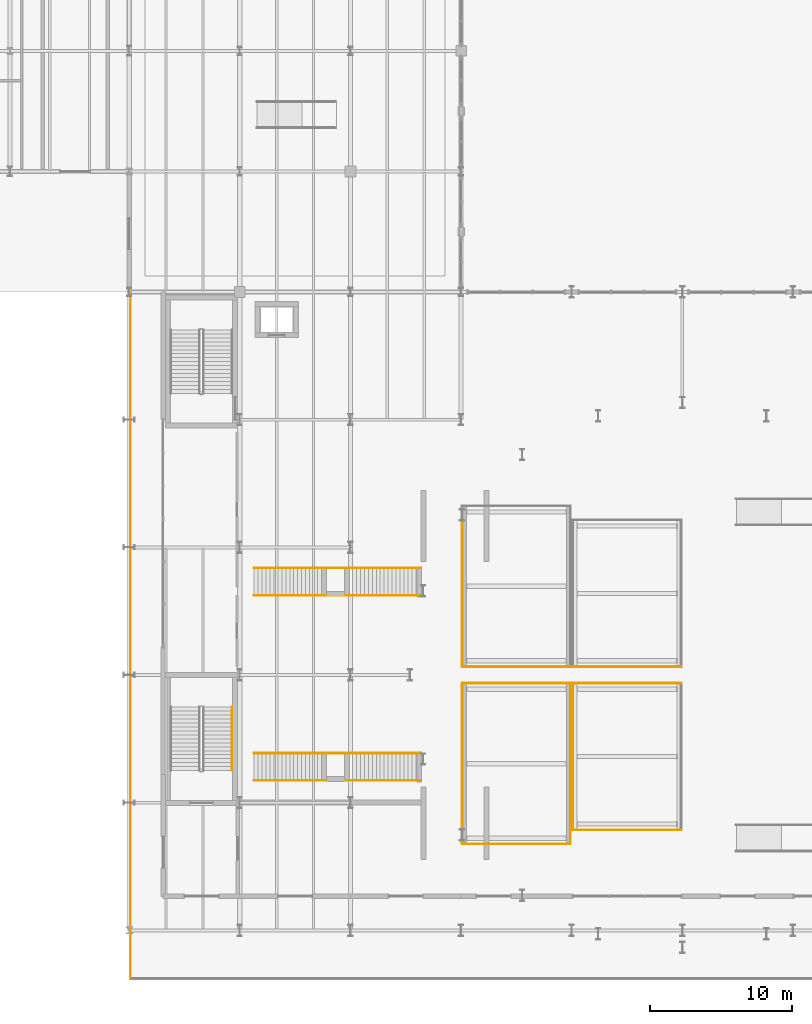
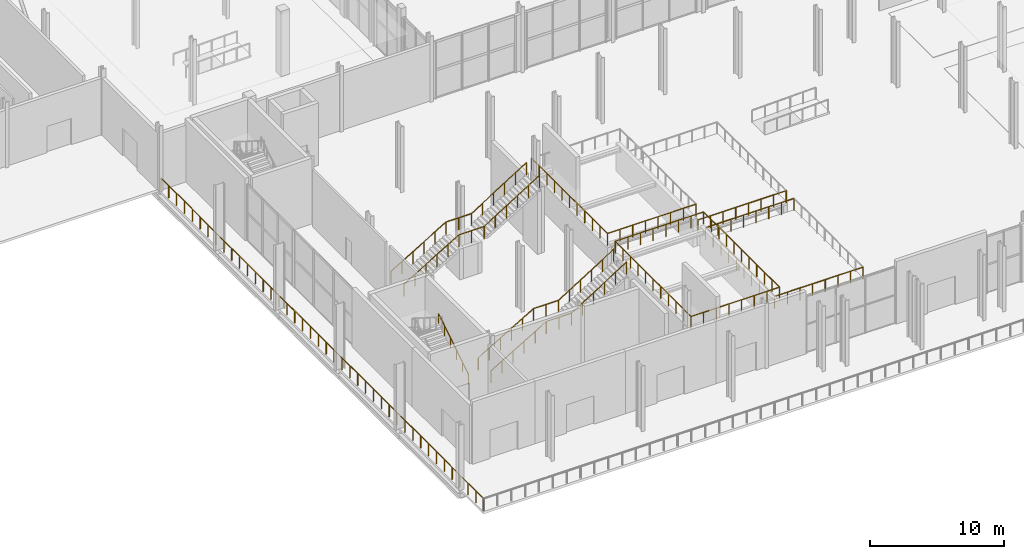
# One storey, part 67 of 84: 16 railings, 2 elements without a shape of their own.
"""IFC4 building model written with IfcOpenShell, lengths in metres."""

import ifcopenshell
import ifcopenshell.guid

model = None  # the IFC model being written
_history = None  # IfcOwnerHistory: only IFC2X3 demands one
_inside = {}  # id of a spatial element -> (the spatial element, [elements in it])
_under = {}  # id of a project, library or spatial element -> (it, [spatial elements below it])
_declared = {}  # id of a project -> (the project, [libraries it declares])
_typed = {}  # id of a type object -> (the type object, [elements of that type])
_made_of = {}  # id of a material, layer set ... -> (it, [elements and type objects made of it])


def new_model(schema):
    """Start an empty IFC model of exactly this schema.

    Asked for "IFC4X3", IfcOpenShell would pick the latest addendum, in which some entities
    have other attributes; the version numbers below select the first issue.
    IFC2X3 requires an IfcOwnerHistory on every rooted entity: one is made here for all.
    """
    global model, _history
    if schema == "IFC4X3":
        model = ifcopenshell.file(schema_version=(4, 3, 0, 0))
    else:
        model = ifcopenshell.file(schema=schema)
    _inside.clear()
    _under.clear()
    _declared.clear()
    _typed.clear()
    _made_of.clear()
    _history = None
    if model.schema == "IFC2X3":
        org = make("IfcOrganization", Name="unknown")
        user = make(
            "IfcPersonAndOrganization",
            ThePerson=make("IfcPerson", FamilyName="unknown"),
            TheOrganization=org,
        )
        app = make(
            "IfcApplication",
            ApplicationDeveloper=org,
            Version="unknown",
            ApplicationFullName="unknown",
            ApplicationIdentifier="unknown",
        )
        _history = make(
            "IfcOwnerHistory",
            OwningUser=user,
            OwningApplication=app,
            ChangeAction="ADDED",
            CreationDate=0,
        )
    return model


def make(cls, **values):
    """One entity of the class cls with the attributes given. An attribute that is None is left unset."""
    return model.create_entity(
        cls, **{name: value for name, value in values.items() if value is not None}
    )


def rooted(cls, **values):
    """An entity with a GlobalId (a new one), such as an element, a storey or a relation."""
    return make(cls, GlobalId=ifcopenshell.guid.new(), OwnerHistory=_history, **values)


def si_unit(unit_type, name, prefix=None):
    """IfcSIUnit, for example si_unit("LENGTHUNIT", "METRE", prefix="MILLI")."""
    return make("IfcSIUnit", UnitType=unit_type, Prefix=prefix, Name=name)


def assignment(units):
    """IfcUnitAssignment: the units of a project."""
    return None if units is None else make("IfcUnitAssignment", Units=units)


def point(xyz):
    """IfcCartesianPoint."""
    return None if xyz is None else make("IfcCartesianPoint", Coordinates=xyz)


def direction(xyz):
    """IfcDirection."""
    return None if xyz is None else make("IfcDirection", DirectionRatios=xyz)


def frame(location, z_axis=None, x_axis=None):
    """IfcAxis2Placement3D, a coordinate frame: its origin and axes. An axis left out is left unset."""
    return make(
        "IfcAxis2Placement3D",
        Location=point(location),
        Axis=direction(z_axis),
        RefDirection=direction(x_axis),
    )


def frame_2d(location, x_axis=None):
    """IfcAxis2Placement2D, a coordinate frame in the plane: its origin and x axis."""
    return make(
        "IfcAxis2Placement2D", Location=point(location), RefDirection=direction(x_axis)
    )


def origin():
    """The frame at (0, 0, 0) with its axes left unset."""
    return frame((0.0, 0.0, 0.0))


def origin_2d():
    """The frame at (0, 0) in the plane with its x axis left unset."""
    return frame_2d((0.0, 0.0))


def place(relative_to, where):
    """IfcLocalPlacement: puts the frame where relative to a parent placement (None: the world)."""
    return make(
        "IfcLocalPlacement", PlacementRelTo=relative_to, RelativePlacement=where
    )


def context(
    kind, dimensions, precision=None, world=None, true_north=None, identifier=None
):
    """IfcGeometricRepresentationContext, for example the 3D "Model" context."""
    return make(
        "IfcGeometricRepresentationContext",
        ContextIdentifier=identifier,
        ContextType=kind,
        CoordinateSpaceDimension=dimensions,
        Precision=precision,
        WorldCoordinateSystem=world,
        TrueNorth=true_north,
    )


def subcontext(parent, identifier, kind, view, scale=None):
    """IfcGeometricRepresentationSubContext, for example "Body" below "Model"."""
    return make(
        "IfcGeometricRepresentationSubContext",
        ContextIdentifier=identifier,
        ContextType=kind,
        ParentContext=parent,
        TargetScale=scale,
        TargetView=view,
    )


def project(units=None, contexts=None):
    """IfcProject with its units and contexts."""
    return rooted(
        "IfcProject",
        Name="project",
        RepresentationContexts=contexts,
        UnitsInContext=assignment(units),
    )


def spatial(cls, under=None, at=None, **own):
    """A site, building, storey or space (cls), placed at a placement, below another one or the project."""
    s = rooted(cls, ObjectPlacement=at, **own)
    if under is not None:
        _under.setdefault(under.id(), (under, []))[1].append(s)
    return s


def profile(cls, at=None, kind="AREA", **sizes):
    """A parametric profile (cls). Its sizes go by their IFC names, for example OverallWidth=200.0."""
    return make(cls, ProfileType=kind, Position=at, **sizes)


def circle(**sizes):
    """IfcCircleProfileDef."""
    return profile("IfcCircleProfileDef", **sizes)


def extrude(swept, where, along, depth):
    """IfcExtrudedAreaSolid: the profile swept, set in the frame where, extruded along a direction by depth."""
    return make(
        "IfcExtrudedAreaSolid",
        SweptArea=swept,
        Position=where,
        ExtrudedDirection=direction(along),
        Depth=depth,
    )


def shape(context_of_items, identifier, shape_type, items):
    """IfcShapeRepresentation: the items that make up one representation, for example the "Body"."""
    return make(
        "IfcShapeRepresentation",
        ContextOfItems=context_of_items,
        RepresentationIdentifier=identifier,
        RepresentationType=shape_type,
        Items=items,
    )


def material(Name=None, Category=None):
    """IfcMaterial."""
    return make("IfcMaterial", Name=Name, Category=Category)


def made_of(thing, what):
    """Note that an element or type object is made of a material, layer set ...; save() writes the relation."""
    if what is not None:
        _made_of.setdefault(what.id(), (what, []))[1].append(thing)
    return thing


def type_object(cls, material=None, **own):
    """A type object (cls), such as IfcWallType, which elements share."""
    return made_of(rooted(cls, **own), material)


def element(
    cls,
    number,
    at=None,
    inside=None,
    cuts=None,
    type_object=None,
    material=None,
    context=None,
    identifier="Body",
    shape_type=None,
    held_by="IfcProductDefinitionShape",
    body=None,
    shapes=None,
    **own,
):
    """One element of the class cls, such as IfcWall. Its Tag is "e" and its number.

    at: its placement. inside: the storey or other place that contains it. cuts: it is an
    opening in that element (IfcRelVoidsElement). A single representation is given by context,
    identifier, shape_type and body (its items); several are given by shapes. held_by: the class
    of the entity that holds the representations. save() writes the other relations.
    """
    e = rooted(cls, Tag="e%d" % number, ObjectPlacement=at, **own)
    if body is not None:
        shapes = [shape(context, identifier, shape_type, body)]
    if shapes is not None:
        e.Representation = make(held_by, Representations=shapes)
    if inside is not None:
        _inside.setdefault(inside.id(), (inside, []))[1].append(e)
    if cuts is not None:
        rooted(
            "IfcRelVoidsElement", RelatingBuildingElement=cuts, RelatedOpeningElement=e
        )
    if type_object is not None:
        _typed.setdefault(type_object.id(), (type_object, []))[1].append(e)
    return made_of(e, material)


def aggregate(whole, parts):
    """IfcRelAggregates: a whole, such as a stair, and the parts it consists of."""
    return rooted("IfcRelAggregates", RelatingObject=whole, RelatedObjects=parts)


def save(model, path):
    """Write the relations noted so far, then the file.

    IfcRelAggregates (storeys below a building ...), IfcRelContainedInSpatialStructure (elements
    in a storey), IfcRelDefinesByType, IfcRelAssociatesMaterial and IfcRelDeclares: one each for
    every whole, place, type object, material and project.
    """
    for whole, parts in _under.values():
        aggregate(whole, parts)
    for where, things in _inside.values():
        rooted(
            "IfcRelContainedInSpatialStructure",
            RelatedElements=things,
            RelatingStructure=where,
        )
    for kind, things in _typed.values():
        rooted("IfcRelDefinesByType", RelatedObjects=things, RelatingType=kind)
    for what, things in _made_of.values():
        rooted("IfcRelAssociatesMaterial", RelatedObjects=things, RelatingMaterial=what)
    for by, libraries in _declared.values():
        rooted("IfcRelDeclares", RelatingContext=by, RelatedDefinitions=libraries)
    model.write(path)


model = new_model("IFC4")

# Units and contexts
model_context = context("Model", 3, precision=1e-05, world=origin(), true_north=direction((0.0, 1.0)))
body_context = subcontext(model_context, "Body", "Model", "MODEL_VIEW")
ifc_project = project(units=[si_unit("LENGTHUNIT", "METRE"), si_unit("AREAUNIT", "SQUARE_METRE"), si_unit("VOLUMEUNIT", "CUBIC_METRE"), si_unit("PLANEANGLEUNIT", "RADIAN"), si_unit("MASSUNIT", "GRAM", prefix="KILO")], contexts=[model_context])

# Site, building, storey
site_placement = place(None, origin())
site = spatial("IfcSite", under=ifc_project, at=site_placement, CompositionType="ELEMENT")
building_placement = place(site_placement, origin())
building = spatial("IfcBuilding", under=site, at=building_placement, Name="Sefraquen Railside Congress Hotel", CompositionType="ELEMENT")
storey_placement = place(building_placement, origin())
storey = spatial("IfcBuildingStorey", under=building, at=storey_placement, Name="L00", CompositionType="ELEMENT", Elevation=0.0)

# Railings
ifc_material_1 = material(Name="Patinated wrought architectural bronze", Category="metal")
railing_type_1 = type_object("IfcRailingType", Name="TRL-BAL-110", PredefinedType="BALUSTRADE", material=ifc_material_1)
railing_1_placement = place(storey_placement, frame((25.300048828125, 53.89990234375, 0.0)))
element("IfcRailing", 1, at=railing_1_placement, inside=storey, type_object=railing_type_1, Name="South Congress colonnade perimeter balustrade", PredefinedType="BALUSTRADE", context=body_context, shape_type="SweptSolid", body=[
    extrude(circle(Radius=0.02392578125, at=origin_2d()), frame((0.0, 0.0, 1.09619140625), z_axis=(0.0, -1.0, 0.0), x_axis=(1.0, 0.0, 0.0)), (0.0, 0.0, 1.0), 48.2998046875),
    extrude(circle(Radius=0.02099609375, at=origin_2d()), origin(), (0.0, 0.0, 1.0), 1.072021484375),
    extrude(circle(Radius=0.02099609375, at=origin_2d()), frame((0.0, -1.177978515625, 0.0)), (0.0, 0.0, 1.0), 1.072021484375),
    extrude(circle(Radius=0.02099609375, at=origin_2d()), frame((0.0, -2.356201171875, 0.0)), (0.0, 0.0, 1.0), 1.072021484375),
    extrude(circle(Radius=0.02099609375, at=origin_2d()), frame((0.0, -3.5341796875, 0.0)), (0.0, 0.0, 1.0), 1.072021484375),
    extrude(circle(Radius=0.02099609375, at=origin_2d()), frame((0.0, -4.712158203125, 0.0)), (0.0, 0.0, 1.0), 1.072021484375),
    extrude(circle(Radius=0.02099609375, at=origin_2d()), frame((0.0, -5.89013671875, 0.0)), (0.0, 0.0, 1.0), 1.072021484375),
    extrude(circle(Radius=0.02099609375, at=origin_2d()), frame((0.0, -7.068359375, 0.0)), (0.0, 0.0, 1.0), 1.072021484375),
    extrude(circle(Radius=0.02099609375, at=origin_2d()), frame((0.0, -8.246337890625, 0.0)), (0.0, 0.0, 1.0), 1.072021484375),
    extrude(circle(Radius=0.02099609375, at=origin_2d()), frame((0.0, -9.42431640625, 0.0)), (0.0, 0.0, 1.0), 1.072021484375),
    extrude(circle(Radius=0.02099609375, at=origin_2d()), frame((0.0, -10.602294921875, 0.0)), (0.0, 0.0, 1.0), 1.072021484375),
    extrude(circle(Radius=0.02099609375, at=origin_2d()), frame((0.0, -11.780517578125, 0.0)), (0.0, 0.0, 1.0), 1.072021484375),
    extrude(circle(Radius=0.02099609375, at=origin_2d()), frame((0.0, -12.95849609375, 0.0)), (0.0, 0.0, 1.0), 1.072021484375),
    extrude(circle(Radius=0.02099609375, at=origin_2d()), frame((0.0, -14.136474609375, 0.0)), (0.0, 0.0, 1.0), 1.072021484375),
    extrude(circle(Radius=0.02099609375, at=origin_2d()), frame((0.0, -15.314453125, 0.0)), (0.0, 0.0, 1.0), 1.072021484375),
    extrude(circle(Radius=0.02099609375, at=origin_2d()), frame((0.0, -16.49267578125, 0.0)), (0.0, 0.0, 1.0), 1.072021484375),
    extrude(circle(Radius=0.02099609375, at=origin_2d()), frame((0.0, -17.670654296875, 0.0)), (0.0, 0.0, 1.0), 1.072021484375),
    extrude(circle(Radius=0.02099609375, at=origin_2d()), frame((0.0, -18.8486328125, 0.0)), (0.0, 0.0, 1.0), 1.072021484375),
    extrude(circle(Radius=0.02099609375, at=origin_2d()), frame((0.0, -20.02685546875, 0.0)), (0.0, 0.0, 1.0), 1.072021484375),
    extrude(circle(Radius=0.02099609375, at=origin_2d()), frame((0.0, -21.204833984375, 0.0)), (0.0, 0.0, 1.0), 1.072021484375),
    extrude(circle(Radius=0.02099609375, at=origin_2d()), frame((0.0, -22.3828125, 0.0)), (0.0, 0.0, 1.0), 1.072021484375),
    extrude(circle(Radius=0.02099609375, at=origin_2d()), frame((0.0, -23.560791015625, 0.0)), (0.0, 0.0, 1.0), 1.072021484375),
    extrude(circle(Radius=0.02099609375, at=origin_2d()), frame((0.0, -24.739013671875, 0.0)), (0.0, 0.0, 1.0), 1.072021484375),
    extrude(circle(Radius=0.02099609375, at=origin_2d()), frame((0.0, -25.9169921875, 0.0)), (0.0, 0.0, 1.0), 1.072021484375),
    extrude(circle(Radius=0.02099609375, at=origin_2d()), frame((0.0, -27.094970703125, 0.0)), (0.0, 0.0, 1.0), 1.072021484375),
    extrude(circle(Radius=0.02099609375, at=origin_2d()), frame((0.0, -28.27294921875, 0.0)), (0.0, 0.0, 1.0), 1.072021484375),
    extrude(circle(Radius=0.02099609375, at=origin_2d()), frame((0.0, -29.451171875, 0.0)), (0.0, 0.0, 1.0), 1.072021484375),
    extrude(circle(Radius=0.02099609375, at=origin_2d()), frame((0.0, -30.629150390625, 0.0)), (0.0, 0.0, 1.0), 1.072021484375),
    extrude(circle(Radius=0.02099609375, at=origin_2d()), frame((0.0, -31.80712890625, 0.0)), (0.0, 0.0, 1.0), 1.072021484375),
    extrude(circle(Radius=0.02099609375, at=origin_2d()), frame((0.0, -32.9853515625, 0.0)), (0.0, 0.0, 1.0), 1.072021484375),
    extrude(circle(Radius=0.02099609375, at=origin_2d()), frame((0.0, -34.163330078125, 0.0)), (0.0, 0.0, 1.0), 1.072021484375),
    extrude(circle(Radius=0.02099609375, at=origin_2d()), frame((0.0, -35.34130859375, 0.0)), (0.0, 0.0, 1.0), 1.072021484375),
    extrude(circle(Radius=0.02099609375, at=origin_2d()), frame((0.0, -36.519287109375, 0.0)), (0.0, 0.0, 1.0), 1.072021484375),
    extrude(circle(Radius=0.02099609375, at=origin_2d()), frame((0.0, -37.697509765625, 0.0)), (0.0, 0.0, 1.0), 1.072021484375),
    extrude(circle(Radius=0.02099609375, at=origin_2d()), frame((0.0, -38.87548828125, 0.0)), (0.0, 0.0, 1.0), 1.072021484375),
    extrude(circle(Radius=0.02099609375, at=origin_2d()), frame((0.0, -40.053466796875, 0.0)), (0.0, 0.0, 1.0), 1.072021484375),
    extrude(circle(Radius=0.02099609375, at=origin_2d()), frame((0.0, -41.2314453125, 0.0)), (0.0, 0.0, 1.0), 1.072021484375),
    extrude(circle(Radius=0.02099609375, at=origin_2d()), frame((0.0, -42.40966796875, 0.0)), (0.0, 0.0, 1.0), 1.072021484375),
    extrude(circle(Radius=0.02099609375, at=origin_2d()), frame((0.0, -43.587646484375, 0.0)), (0.0, 0.0, 1.0), 1.072021484375),
    extrude(circle(Radius=0.02099609375, at=origin_2d()), frame((0.0, -44.765625, 0.0)), (0.0, 0.0, 1.0), 1.072021484375),
    extrude(circle(Radius=0.02099609375, at=origin_2d()), frame((0.0, -45.943603515625, 0.0)), (0.0, 0.0, 1.0), 1.072021484375),
    extrude(circle(Radius=0.02099609375, at=origin_2d()), frame((0.0, -47.121826171875, 0.0)), (0.0, 0.0, 1.0), 1.072021484375),
    extrude(circle(Radius=0.02099609375, at=origin_2d()), frame((0.0, -48.2998046875, 0.0)), (0.0, 0.0, 1.0), 1.072021484375),
])
railing_2_placement = place(storey_placement, frame((56.47998046875, 16.080078125, 1.199951171875)))
element("IfcRailing", 2, at=railing_2_placement, inside=storey, type_object=railing_type_1, Name="Congress seating tier 1 perimeter guard", PredefinedType="BALUSTRADE", context=body_context, shape_type="SweptSolid", body=[
    extrude(circle(Radius=0.02392578125, at=origin_2d()), frame((0.0, 0.0, 1.09619140625), z_axis=(1.0, 0.0, 0.0), x_axis=(0.0, 1.0, 0.0)), (0.0, 0.0, 1.0), 7.64013671875),
    extrude(circle(Radius=0.02099609375, at=origin_2d()), origin(), (0.0, 0.0, 1.0), 1.072021484375),
    extrude(circle(Radius=0.02099609375, at=origin_2d()), frame((1.091552734375, 0.0, 0.0)), (0.0, 0.0, 1.0), 1.072021484375),
    extrude(circle(Radius=0.02099609375, at=origin_2d()), frame((2.182861328125, 0.0, 0.0)), (0.0, 0.0, 1.0), 1.072021484375),
    extrude(circle(Radius=0.02099609375, at=origin_2d()), frame((3.2744140625, 0.0, 0.0)), (0.0, 0.0, 1.0), 1.072021484375),
    extrude(circle(Radius=0.02099609375, at=origin_2d()), frame((4.36572265625, 0.0, 0.0)), (0.0, 0.0, 1.0), 1.072021484375),
    extrude(circle(Radius=0.02099609375, at=origin_2d()), frame((5.457275390625, 0.0, 0.0)), (0.0, 0.0, 1.0), 1.072021484375),
    extrude(circle(Radius=0.02099609375, at=origin_2d()), frame((6.548583984375, 0.0, 0.0)), (0.0, 0.0, 1.0), 1.072021484375),
    extrude(circle(Radius=0.02099609375, at=origin_2d()), frame((7.64013671875, 0.0, 0.0)), (0.0, 0.0, 1.0), 1.072021484375),
])
railing_3_placement = place(storey_placement, frame((64.1201171875, 26.419921875, 1.199951171875)))
element("IfcRailing", 3, at=railing_3_placement, inside=storey, type_object=railing_type_1, Name="Congress seating tier 1 perimeter guard", PredefinedType="BALUSTRADE", context=body_context, shape_type="SweptSolid", body=[
    extrude(circle(Radius=0.02392578125, at=origin_2d()), frame((0.0, 0.0, 1.09619140625), z_axis=(-1.0, 0.0, 0.0), x_axis=(0.0, -1.0, 0.0)), (0.0, 0.0, 1.0), 7.64013671875),
    extrude(circle(Radius=0.02099609375, at=origin_2d()), origin(), (0.0, 0.0, 1.0), 1.072021484375),
    extrude(circle(Radius=0.02099609375, at=origin_2d()), frame((-1.091552734375, 0.0, 0.0)), (0.0, 0.0, 1.0), 1.072021484375),
    extrude(circle(Radius=0.02099609375, at=origin_2d()), frame((-2.182861328125, 0.0, 0.0)), (0.0, 0.0, 1.0), 1.072021484375),
    extrude(circle(Radius=0.02099609375, at=origin_2d()), frame((-3.2744140625, 0.0, 0.0)), (0.0, 0.0, 1.0), 1.072021484375),
    extrude(circle(Radius=0.02099609375, at=origin_2d()), frame((-4.36572265625, 0.0, 0.0)), (0.0, 0.0, 1.0), 1.072021484375),
    extrude(circle(Radius=0.02099609375, at=origin_2d()), frame((-5.457275390625, 0.0, 0.0)), (0.0, 0.0, 1.0), 1.072021484375),
    extrude(circle(Radius=0.02099609375, at=origin_2d()), frame((-6.548583984375, 0.0, 0.0)), (0.0, 0.0, 1.0), 1.072021484375),
    extrude(circle(Radius=0.02099609375, at=origin_2d()), frame((-7.64013671875, 0.0, 0.0)), (0.0, 0.0, 1.0), 1.072021484375),
])
railing_4_placement = place(storey_placement, frame((56.47998046875, 26.419921875, 1.199951171875)))
element("IfcRailing", 4, at=railing_4_placement, inside=storey, type_object=railing_type_1, Name="Congress seating tier 1 perimeter guard", PredefinedType="BALUSTRADE", context=body_context, shape_type="SweptSolid", body=[
    extrude(circle(Radius=0.02392578125, at=origin_2d()), frame((0.0, 0.0, 1.09619140625), z_axis=(0.0, -1.0, 0.0), x_axis=(1.0, 0.0, 0.0)), (0.0, 0.0, 1.0), 10.33984375),
    extrude(circle(Radius=0.02099609375, at=origin_2d()), origin(), (0.0, 0.0, 1.0), 1.072021484375),
    extrude(circle(Radius=0.02099609375, at=origin_2d()), frame((0.0, -1.14892578125, 0.0)), (0.0, 0.0, 1.0), 1.072021484375),
    extrude(circle(Radius=0.02099609375, at=origin_2d()), frame((0.0, -2.2978515625, 0.0)), (0.0, 0.0, 1.0), 1.072021484375),
    extrude(circle(Radius=0.02099609375, at=origin_2d()), frame((0.0, -3.446533203125, 0.0)), (0.0, 0.0, 1.0), 1.072021484375),
    extrude(circle(Radius=0.02099609375, at=origin_2d()), frame((0.0, -4.595458984375, 0.0)), (0.0, 0.0, 1.0), 1.072021484375),
    extrude(circle(Radius=0.02099609375, at=origin_2d()), frame((0.0, -5.744384765625, 0.0)), (0.0, 0.0, 1.0), 1.072021484375),
    extrude(circle(Radius=0.02099609375, at=origin_2d()), frame((0.0, -6.893310546875, 0.0)), (0.0, 0.0, 1.0), 1.072021484375),
    extrude(circle(Radius=0.02099609375, at=origin_2d()), frame((0.0, -8.0419921875, 0.0)), (0.0, 0.0, 1.0), 1.072021484375),
    extrude(circle(Radius=0.02099609375, at=origin_2d()), frame((0.0, -9.19091796875, 0.0)), (0.0, 0.0, 1.0), 1.072021484375),
    extrude(circle(Radius=0.02099609375, at=origin_2d()), frame((0.0, -10.33984375, 0.0)), (0.0, 0.0, 1.0), 1.072021484375),
])
for number, where, name in (
    (5, (56.47998046875, 27.580078125, 1.199951171875), "Congress seating tier 2 perimeter guard"),
    (6, (48.679931640625, 15.080078125, 2.699951171875), "Congress seating tier 3 perimeter guard"),
):
    element("IfcRailing", number, at=place(storey_placement, frame(where)), inside=storey, type_object=railing_type_1, Name=name, PredefinedType="BALUSTRADE", context=body_context, shape_type="SweptSolid", body=[
        extrude(circle(Radius=0.02392578125, at=origin_2d()), frame((0.0, 0.0, 1.09619140625), z_axis=(1.0, 0.0, 0.0), x_axis=(0.0, 1.0, 0.0)), (0.0, 0.0, 1.0), 7.64013671875),
        extrude(circle(Radius=0.02099609375, at=origin_2d()), origin(), (0.0, 0.0, 1.0), 1.072021484375),
        extrude(circle(Radius=0.02099609375, at=origin_2d()), frame((1.091552734375, 0.0, 0.0)), (0.0, 0.0, 1.0), 1.072021484375),
        extrude(circle(Radius=0.02099609375, at=origin_2d()), frame((2.182861328125, 0.0, 0.0)), (0.0, 0.0, 1.0), 1.072021484375),
        extrude(circle(Radius=0.02099609375, at=origin_2d()), frame((3.2744140625, 0.0, 0.0)), (0.0, 0.0, 1.0), 1.072021484375),
        extrude(circle(Radius=0.02099609375, at=origin_2d()), frame((4.36572265625, 0.0, 0.0)), (0.0, 0.0, 1.0), 1.072021484375),
        extrude(circle(Radius=0.02099609375, at=origin_2d()), frame((5.457275390625, 0.0, 0.0)), (0.0, 0.0, 1.0), 1.072021484375),
        extrude(circle(Radius=0.02099609375, at=origin_2d()), frame((6.548583984375, 0.0, 0.0)), (0.0, 0.0, 1.0), 1.072021484375),
        extrude(circle(Radius=0.02099609375, at=origin_2d()), frame((7.64013671875, 0.0, 0.0)), (0.0, 0.0, 1.0), 1.072021484375),
    ])
railing_5_placement = place(storey_placement, frame((56.320068359375, 15.080078125, 2.699951171875)))
element("IfcRailing", 7, at=railing_5_placement, inside=storey, type_object=railing_type_1, Name="Congress seating tier 3 perimeter guard", PredefinedType="BALUSTRADE", context=body_context, shape_type="SweptSolid", body=[
    extrude(circle(Radius=0.02392578125, at=origin_2d()), frame((0.0, 0.0, 1.09619140625), z_axis=(0.0, 1.0, 0.0), x_axis=(-1.0, 0.0, 0.0)), (0.0, 0.0, 1.0), 11.33984375),
    extrude(circle(Radius=0.02099609375, at=origin_2d()), origin(), (0.0, 0.0, 1.0), 1.072021484375),
    extrude(circle(Radius=0.02099609375, at=origin_2d()), frame((0.0, 1.134033203125, 0.0)), (0.0, 0.0, 1.0), 1.072021484375),
    extrude(circle(Radius=0.02099609375, at=origin_2d()), frame((0.0, 2.26806640625, 0.0)), (0.0, 0.0, 1.0), 1.072021484375),
    extrude(circle(Radius=0.02099609375, at=origin_2d()), frame((0.0, 3.40185546875, 0.0)), (0.0, 0.0, 1.0), 1.072021484375),
    extrude(circle(Radius=0.02099609375, at=origin_2d()), frame((0.0, 4.535888671875, 0.0)), (0.0, 0.0, 1.0), 1.072021484375),
    extrude(circle(Radius=0.02099609375, at=origin_2d()), frame((0.0, 5.669921875, 0.0)), (0.0, 0.0, 1.0), 1.072021484375),
    extrude(circle(Radius=0.02099609375, at=origin_2d()), frame((0.0, 6.803955078125, 0.0)), (0.0, 0.0, 1.0), 1.072021484375),
    extrude(circle(Radius=0.02099609375, at=origin_2d()), frame((0.0, 7.93798828125, 0.0)), (0.0, 0.0, 1.0), 1.072021484375),
    extrude(circle(Radius=0.02099609375, at=origin_2d()), frame((0.0, 9.07177734375, 0.0)), (0.0, 0.0, 1.0), 1.072021484375),
    extrude(circle(Radius=0.02099609375, at=origin_2d()), frame((0.0, 10.205810546875, 0.0)), (0.0, 0.0, 1.0), 1.072021484375),
    extrude(circle(Radius=0.02099609375, at=origin_2d()), frame((0.0, 11.33984375, 0.0)), (0.0, 0.0, 1.0), 1.072021484375),
])
railing_6_placement = place(storey_placement, frame((56.320068359375, 26.419921875, 2.699951171875)))
element("IfcRailing", 8, at=railing_6_placement, inside=storey, type_object=railing_type_1, Name="Congress seating tier 3 perimeter guard", PredefinedType="BALUSTRADE", context=body_context, shape_type="SweptSolid", body=[
    extrude(circle(Radius=0.02392578125, at=origin_2d()), frame((0.0, 0.0, 1.09619140625), z_axis=(-1.0, 0.0, 0.0), x_axis=(0.0, -1.0, 0.0)), (0.0, 0.0, 1.0), 7.64013671875),
    extrude(circle(Radius=0.02099609375, at=origin_2d()), origin(), (0.0, 0.0, 1.0), 1.072021484375),
    extrude(circle(Radius=0.02099609375, at=origin_2d()), frame((-1.091552734375, 0.0, 0.0)), (0.0, 0.0, 1.0), 1.072021484375),
    extrude(circle(Radius=0.02099609375, at=origin_2d()), frame((-2.182861328125, 0.0, 0.0)), (0.0, 0.0, 1.0), 1.072021484375),
    extrude(circle(Radius=0.02099609375, at=origin_2d()), frame((-3.2744140625, 0.0, 0.0)), (0.0, 0.0, 1.0), 1.072021484375),
    extrude(circle(Radius=0.02099609375, at=origin_2d()), frame((-4.36572265625, 0.0, 0.0)), (0.0, 0.0, 1.0), 1.072021484375),
    extrude(circle(Radius=0.02099609375, at=origin_2d()), frame((-5.457275390625, 0.0, 0.0)), (0.0, 0.0, 1.0), 1.072021484375),
    extrude(circle(Radius=0.02099609375, at=origin_2d()), frame((-6.548583984375, 0.0, 0.0)), (0.0, 0.0, 1.0), 1.072021484375),
    extrude(circle(Radius=0.02099609375, at=origin_2d()), frame((-7.64013671875, 0.0, 0.0)), (0.0, 0.0, 1.0), 1.072021484375),
])
railing_7_placement = place(storey_placement, frame((48.679931640625, 26.419921875, 2.699951171875)))
element("IfcRailing", 9, at=railing_7_placement, inside=storey, type_object=railing_type_1, Name="Congress seating tier 3 perimeter guard", PredefinedType="BALUSTRADE", context=body_context, shape_type="SweptSolid", body=[
    extrude(circle(Radius=0.02392578125, at=origin_2d()), frame((0.0, 0.0, 1.09619140625), z_axis=(0.0, -1.0, 0.0), x_axis=(1.0, 0.0, 0.0)), (0.0, 0.0, 1.0), 11.33984375),
    extrude(circle(Radius=0.02099609375, at=origin_2d()), origin(), (0.0, 0.0, 1.0), 1.072021484375),
    extrude(circle(Radius=0.02099609375, at=origin_2d()), frame((0.0, -1.134033203125, 0.0)), (0.0, 0.0, 1.0), 1.072021484375),
    extrude(circle(Radius=0.02099609375, at=origin_2d()), frame((0.0, -2.26806640625, 0.0)), (0.0, 0.0, 1.0), 1.072021484375),
    extrude(circle(Radius=0.02099609375, at=origin_2d()), frame((0.0, -3.40185546875, 0.0)), (0.0, 0.0, 1.0), 1.072021484375),
    extrude(circle(Radius=0.02099609375, at=origin_2d()), frame((0.0, -4.535888671875, 0.0)), (0.0, 0.0, 1.0), 1.072021484375),
    extrude(circle(Radius=0.02099609375, at=origin_2d()), frame((0.0, -5.669921875, 0.0)), (0.0, 0.0, 1.0), 1.072021484375),
    extrude(circle(Radius=0.02099609375, at=origin_2d()), frame((0.0, -6.803955078125, 0.0)), (0.0, 0.0, 1.0), 1.072021484375),
    extrude(circle(Radius=0.02099609375, at=origin_2d()), frame((0.0, -7.93798828125, 0.0)), (0.0, 0.0, 1.0), 1.072021484375),
    extrude(circle(Radius=0.02099609375, at=origin_2d()), frame((0.0, -9.07177734375, 0.0)), (0.0, 0.0, 1.0), 1.072021484375),
    extrude(circle(Radius=0.02099609375, at=origin_2d()), frame((0.0, -10.205810546875, 0.0)), (0.0, 0.0, 1.0), 1.072021484375),
    extrude(circle(Radius=0.02099609375, at=origin_2d()), frame((0.0, -11.33984375, 0.0)), (0.0, 0.0, 1.0), 1.072021484375),
])
railing_8_placement = place(storey_placement, frame((48.679931640625, 27.580078125, 2.699951171875)))
element("IfcRailing", 10, at=railing_8_placement, inside=storey, type_object=railing_type_1, Name="Congress seating tier 4 perimeter guard", PredefinedType="BALUSTRADE", context=body_context, shape_type="SweptSolid", body=[
    extrude(circle(Radius=0.02392578125, at=origin_2d()), frame((0.0, 0.0, 1.09619140625), z_axis=(1.0, 0.0, 0.0), x_axis=(0.0, 1.0, 0.0)), (0.0, 0.0, 1.0), 7.64013671875),
    extrude(circle(Radius=0.02099609375, at=origin_2d()), origin(), (0.0, 0.0, 1.0), 1.072021484375),
    extrude(circle(Radius=0.02099609375, at=origin_2d()), frame((1.091552734375, 0.0, 0.0)), (0.0, 0.0, 1.0), 1.072021484375),
    extrude(circle(Radius=0.02099609375, at=origin_2d()), frame((2.182861328125, 0.0, 0.0)), (0.0, 0.0, 1.0), 1.072021484375),
    extrude(circle(Radius=0.02099609375, at=origin_2d()), frame((3.2744140625, 0.0, 0.0)), (0.0, 0.0, 1.0), 1.072021484375),
    extrude(circle(Radius=0.02099609375, at=origin_2d()), frame((4.36572265625, 0.0, 0.0)), (0.0, 0.0, 1.0), 1.072021484375),
    extrude(circle(Radius=0.02099609375, at=origin_2d()), frame((5.457275390625, 0.0, 0.0)), (0.0, 0.0, 1.0), 1.072021484375),
    extrude(circle(Radius=0.02099609375, at=origin_2d()), frame((6.548583984375, 0.0, 0.0)), (0.0, 0.0, 1.0), 1.072021484375),
    extrude(circle(Radius=0.02099609375, at=origin_2d()), frame((7.64013671875, 0.0, 0.0)), (0.0, 0.0, 1.0), 1.072021484375),
])
railing_9_placement = place(storey_placement, frame((48.679931640625, 38.919921875, 2.699951171875)))
element("IfcRailing", 11, at=railing_9_placement, inside=storey, type_object=railing_type_1, Name="Congress seating tier 4 perimeter guard", PredefinedType="BALUSTRADE", context=body_context, shape_type="SweptSolid", body=[
    extrude(circle(Radius=0.02392578125, at=origin_2d()), frame((0.0, 0.0, 1.09619140625), z_axis=(0.0, -1.0, 0.0), x_axis=(1.0, 0.0, 0.0)), (0.0, 0.0, 1.0), 11.33984375),
    extrude(circle(Radius=0.02099609375, at=origin_2d()), origin(), (0.0, 0.0, 1.0), 1.072021484375),
    extrude(circle(Radius=0.02099609375, at=origin_2d()), frame((0.0, -1.134033203125, 0.0)), (0.0, 0.0, 1.0), 1.072021484375),
    extrude(circle(Radius=0.02099609375, at=origin_2d()), frame((0.0, -2.26806640625, 0.0)), (0.0, 0.0, 1.0), 1.072021484375),
    extrude(circle(Radius=0.02099609375, at=origin_2d()), frame((0.0, -3.40185546875, 0.0)), (0.0, 0.0, 1.0), 1.072021484375),
    extrude(circle(Radius=0.02099609375, at=origin_2d()), frame((0.0, -4.535888671875, 0.0)), (0.0, 0.0, 1.0), 1.072021484375),
    extrude(circle(Radius=0.02099609375, at=origin_2d()), frame((0.0, -5.669921875, 0.0)), (0.0, 0.0, 1.0), 1.072021484375),
    extrude(circle(Radius=0.02099609375, at=origin_2d()), frame((0.0, -6.803955078125, 0.0)), (0.0, 0.0, 1.0), 1.072021484375),
    extrude(circle(Radius=0.02099609375, at=origin_2d()), frame((0.0, -7.93798828125, 0.0)), (0.0, 0.0, 1.0), 1.072021484375),
    extrude(circle(Radius=0.02099609375, at=origin_2d()), frame((0.0, -9.07177734375, 0.0)), (0.0, 0.0, 1.0), 1.072021484375),
    extrude(circle(Radius=0.02099609375, at=origin_2d()), frame((0.0, -10.205810546875, 0.0)), (0.0, 0.0, 1.0), 1.072021484375),
    extrude(circle(Radius=0.02099609375, at=origin_2d()), frame((0.0, -11.33984375, 0.0)), (0.0, 0.0, 1.0), 1.072021484375),
])

# Stair, railings
ifc_material_2 = material(Name="Concrete C40/50", Category="concrete")
stair_type = type_object("IfcStairType", Name="TST-STR-205-600", PredefinedType="STRAIGHT_RUN_STAIR", material=ifc_material_2)
stair_1_placement = place(storey_placement, origin())
stair_1 = element("IfcStair", 12, at=stair_1_placement, inside=storey, type_object=stair_type, Name="Congress Hall Vomitory Stair 1", PredefinedType="STRAIGHT_RUN_STAIR")
railing_10_placement = place(storey_placement, frame((34.0, 19.56005859375, 0.169921875)))
railing_10 = element("IfcRailing", 13, at=railing_10_placement, type_object=railing_type_1, Name="Congress Hall Vomitory Stair 1 south balustrade", PredefinedType="BALUSTRADE", context=body_context, shape_type="SweptSolid", body=[
    extrude(circle(Radius=0.02392578125, at=origin_2d()), frame((0.0, 0.0, 1.09619140625), z_axis=(0.859551590255, 0.0, 0.511048983651), x_axis=(0.0, 1.0, 0.0)), (0.0, 0.0, 1.0), 5.537841796875),
    extrude(circle(Radius=0.02392578125, at=origin_2d()), frame((4.760009765625, 0.0, 3.92626953125), z_axis=(1.0, 0.0, 0.0), x_axis=(0.0, 1.0, 0.0)), (0.0, 0.0, 1.0), 2.179931640625),
    extrude(circle(Radius=0.02392578125, at=origin_2d()), frame((6.93994140625, 0.0, 3.92626953125), z_axis=(0.845995810448, 0.0, 0.533189542944), x_axis=(0.0, 1.0, 0.0)), (0.0, 0.0, 1.0), 5.62646484375),
    extrude(circle(Radius=0.02099609375, at=origin_2d()), origin(), (0.0, 0.0, 1.0), 1.072021484375),
    extrude(circle(Radius=0.02099609375, at=origin_2d()), frame((0.951904296875, 0.0, 0.56591796875)), (0.0, 0.0, 1.0), 1.072021484375),
    extrude(circle(Radius=0.02099609375, at=origin_2d()), frame((1.904052734375, 0.0, 1.132080078125)), (0.0, 0.0, 1.0), 1.072021484375),
    extrude(circle(Radius=0.02099609375, at=origin_2d()), frame((2.85595703125, 0.0, 1.697998046875)), (0.0, 0.0, 1.0), 1.072021484375),
    extrude(circle(Radius=0.02099609375, at=origin_2d()), frame((3.80810546875, 0.0, 2.26416015625)), (0.0, 0.0, 1.0), 1.072021484375),
    extrude(circle(Radius=0.02099609375, at=origin_2d()), frame((4.760009765625, 0.0, 2.830078125)), (0.0, 0.0, 1.0), 1.072021484375),
    extrude(circle(Radius=0.02099609375, at=origin_2d()), frame((5.85009765625, 0.0, 2.830078125)), (0.0, 0.0, 1.0), 1.072021484375),
    extrude(circle(Radius=0.02099609375, at=origin_2d()), frame((6.93994140625, 0.0, 2.830078125)), (0.0, 0.0, 1.0), 1.072021484375),
    extrude(circle(Radius=0.02099609375, at=origin_2d()), frame((7.891845703125, 0.0, 3.43017578125)), (0.0, 0.0, 1.0), 1.072021484375),
    extrude(circle(Radius=0.02099609375, at=origin_2d()), frame((8.843994140625, 0.0, 4.030029296875)), (0.0, 0.0, 1.0), 1.072021484375),
    extrude(circle(Radius=0.02099609375, at=origin_2d()), frame((9.7958984375, 0.0, 4.630126953125)), (0.0, 0.0, 1.0), 1.072021484375),
    extrude(circle(Radius=0.02099609375, at=origin_2d()), frame((10.748046875, 0.0, 5.22998046875)), (0.0, 0.0, 1.0), 1.072021484375),
    extrude(circle(Radius=0.02099609375, at=origin_2d()), frame((11.699951171875, 0.0, 5.830078125)), (0.0, 0.0, 1.0), 1.072021484375),
])
railing_11_placement = place(storey_placement, frame((34.0, 21.489990234375, 0.169921875)))
railing_11 = element("IfcRailing", 14, at=railing_11_placement, type_object=railing_type_1, Name="Congress Hall Vomitory Stair 1 north balustrade", PredefinedType="BALUSTRADE", context=body_context, shape_type="SweptSolid", body=[
    extrude(circle(Radius=0.02392578125, at=origin_2d()), frame((0.0, 0.0, 1.09619140625), z_axis=(0.859551590255, 0.0, 0.511048983651), x_axis=(0.0, 1.0, 0.0)), (0.0, 0.0, 1.0), 5.537841796875),
    extrude(circle(Radius=0.02392578125, at=origin_2d()), frame((4.760009765625, 0.0, 3.92626953125), z_axis=(1.0, 0.0, 0.0), x_axis=(0.0, 1.0, 0.0)), (0.0, 0.0, 1.0), 2.179931640625),
    extrude(circle(Radius=0.02392578125, at=origin_2d()), frame((6.93994140625, 0.0, 3.92626953125), z_axis=(0.845995810448, 0.0, 0.533189542944), x_axis=(0.0, 1.0, 0.0)), (0.0, 0.0, 1.0), 5.62646484375),
    extrude(circle(Radius=0.02099609375, at=origin_2d()), origin(), (0.0, 0.0, 1.0), 1.072021484375),
    extrude(circle(Radius=0.02099609375, at=origin_2d()), frame((0.951904296875, 0.0, 0.56591796875)), (0.0, 0.0, 1.0), 1.072021484375),
    extrude(circle(Radius=0.02099609375, at=origin_2d()), frame((1.904052734375, 0.0, 1.132080078125)), (0.0, 0.0, 1.0), 1.072021484375),
    extrude(circle(Radius=0.02099609375, at=origin_2d()), frame((2.85595703125, 0.0, 1.697998046875)), (0.0, 0.0, 1.0), 1.072021484375),
    extrude(circle(Radius=0.02099609375, at=origin_2d()), frame((3.80810546875, 0.0, 2.26416015625)), (0.0, 0.0, 1.0), 1.072021484375),
    extrude(circle(Radius=0.02099609375, at=origin_2d()), frame((4.760009765625, 0.0, 2.830078125)), (0.0, 0.0, 1.0), 1.072021484375),
    extrude(circle(Radius=0.02099609375, at=origin_2d()), frame((5.85009765625, 0.0, 2.830078125)), (0.0, 0.0, 1.0), 1.072021484375),
    extrude(circle(Radius=0.02099609375, at=origin_2d()), frame((6.93994140625, 0.0, 2.830078125)), (0.0, 0.0, 1.0), 1.072021484375),
    extrude(circle(Radius=0.02099609375, at=origin_2d()), frame((7.891845703125, 0.0, 3.43017578125)), (0.0, 0.0, 1.0), 1.072021484375),
    extrude(circle(Radius=0.02099609375, at=origin_2d()), frame((8.843994140625, 0.0, 4.030029296875)), (0.0, 0.0, 1.0), 1.072021484375),
    extrude(circle(Radius=0.02099609375, at=origin_2d()), frame((9.7958984375, 0.0, 4.630126953125)), (0.0, 0.0, 1.0), 1.072021484375),
    extrude(circle(Radius=0.02099609375, at=origin_2d()), frame((10.748046875, 0.0, 5.22998046875)), (0.0, 0.0, 1.0), 1.072021484375),
    extrude(circle(Radius=0.02099609375, at=origin_2d()), frame((11.699951171875, 0.0, 5.830078125)), (0.0, 0.0, 1.0), 1.072021484375),
])
aggregate(stair_1, [railing_10, railing_11])

stair_2_placement = place(storey_placement, origin())
stair_2 = element("IfcStair", 15, at=stair_2_placement, inside=storey, type_object=stair_type, Name="Congress Hall Vomitory Stair 2", PredefinedType="STRAIGHT_RUN_STAIR")
railing_12_placement = place(storey_placement, frame((34.0, 32.610107421875, 0.169921875)))
railing_12 = element("IfcRailing", 16, at=railing_12_placement, type_object=railing_type_1, Name="Congress Hall Vomitory Stair 2 south balustrade", PredefinedType="BALUSTRADE", context=body_context, shape_type="SweptSolid", body=[
    extrude(circle(Radius=0.02392578125, at=origin_2d()), frame((0.0, 0.0, 1.09619140625), z_axis=(0.859551590255, 0.0, 0.511048983651), x_axis=(0.0, 1.0, 0.0)), (0.0, 0.0, 1.0), 5.537841796875),
    extrude(circle(Radius=0.02392578125, at=origin_2d()), frame((4.760009765625, 0.0, 3.92626953125), z_axis=(1.0, 0.0, 0.0), x_axis=(0.0, 1.0, 0.0)), (0.0, 0.0, 1.0), 2.179931640625),
    extrude(circle(Radius=0.02392578125, at=origin_2d()), frame((6.93994140625, 0.0, 3.92626953125), z_axis=(0.845995810448, 0.0, 0.533189542944), x_axis=(0.0, 1.0, 0.0)), (0.0, 0.0, 1.0), 5.62646484375),
    extrude(circle(Radius=0.02099609375, at=origin_2d()), origin(), (0.0, 0.0, 1.0), 1.072021484375),
    extrude(circle(Radius=0.02099609375, at=origin_2d()), frame((0.951904296875, 0.0, 0.56591796875)), (0.0, 0.0, 1.0), 1.072021484375),
    extrude(circle(Radius=0.02099609375, at=origin_2d()), frame((1.904052734375, 0.0, 1.132080078125)), (0.0, 0.0, 1.0), 1.072021484375),
    extrude(circle(Radius=0.02099609375, at=origin_2d()), frame((2.85595703125, 0.0, 1.697998046875)), (0.0, 0.0, 1.0), 1.072021484375),
    extrude(circle(Radius=0.02099609375, at=origin_2d()), frame((3.80810546875, 0.0, 2.26416015625)), (0.0, 0.0, 1.0), 1.072021484375),
    extrude(circle(Radius=0.02099609375, at=origin_2d()), frame((4.760009765625, 0.0, 2.830078125)), (0.0, 0.0, 1.0), 1.072021484375),
    extrude(circle(Radius=0.02099609375, at=origin_2d()), frame((5.85009765625, 0.0, 2.830078125)), (0.0, 0.0, 1.0), 1.072021484375),
    extrude(circle(Radius=0.02099609375, at=origin_2d()), frame((6.93994140625, 0.0, 2.830078125)), (0.0, 0.0, 1.0), 1.072021484375),
    extrude(circle(Radius=0.02099609375, at=origin_2d()), frame((7.891845703125, 0.0, 3.43017578125)), (0.0, 0.0, 1.0), 1.072021484375),
    extrude(circle(Radius=0.02099609375, at=origin_2d()), frame((8.843994140625, 0.0, 4.030029296875)), (0.0, 0.0, 1.0), 1.072021484375),
    extrude(circle(Radius=0.02099609375, at=origin_2d()), frame((9.7958984375, 0.0, 4.630126953125)), (0.0, 0.0, 1.0), 1.072021484375),
    extrude(circle(Radius=0.02099609375, at=origin_2d()), frame((10.748046875, 0.0, 5.22998046875)), (0.0, 0.0, 1.0), 1.072021484375),
    extrude(circle(Radius=0.02099609375, at=origin_2d()), frame((11.699951171875, 0.0, 5.830078125)), (0.0, 0.0, 1.0), 1.072021484375),
])
railing_13_placement = place(storey_placement, frame((34.0, 34.5400390625, 0.169921875)))
railing_13 = element("IfcRailing", 17, at=railing_13_placement, type_object=railing_type_1, Name="Congress Hall Vomitory Stair 2 north balustrade", PredefinedType="BALUSTRADE", context=body_context, shape_type="SweptSolid", body=[
    extrude(circle(Radius=0.02392578125, at=origin_2d()), frame((0.0, 0.0, 1.09619140625), z_axis=(0.859551590255, 0.0, 0.511048983651), x_axis=(0.0, 1.0, 0.0)), (0.0, 0.0, 1.0), 5.537841796875),
    extrude(circle(Radius=0.02392578125, at=origin_2d()), frame((4.760009765625, 0.0, 3.92626953125), z_axis=(1.0, 0.0, 0.0), x_axis=(0.0, 1.0, 0.0)), (0.0, 0.0, 1.0), 2.179931640625),
    extrude(circle(Radius=0.02392578125, at=origin_2d()), frame((6.93994140625, 0.0, 3.92626953125), z_axis=(0.845995810448, 0.0, 0.533189542944), x_axis=(0.0, 1.0, 0.0)), (0.0, 0.0, 1.0), 5.62646484375),
    extrude(circle(Radius=0.02099609375, at=origin_2d()), origin(), (0.0, 0.0, 1.0), 1.072021484375),
    extrude(circle(Radius=0.02099609375, at=origin_2d()), frame((0.951904296875, 0.0, 0.56591796875)), (0.0, 0.0, 1.0), 1.072021484375),
    extrude(circle(Radius=0.02099609375, at=origin_2d()), frame((1.904052734375, 0.0, 1.132080078125)), (0.0, 0.0, 1.0), 1.072021484375),
    extrude(circle(Radius=0.02099609375, at=origin_2d()), frame((2.85595703125, 0.0, 1.697998046875)), (0.0, 0.0, 1.0), 1.072021484375),
    extrude(circle(Radius=0.02099609375, at=origin_2d()), frame((3.80810546875, 0.0, 2.26416015625)), (0.0, 0.0, 1.0), 1.072021484375),
    extrude(circle(Radius=0.02099609375, at=origin_2d()), frame((4.760009765625, 0.0, 2.830078125)), (0.0, 0.0, 1.0), 1.072021484375),
    extrude(circle(Radius=0.02099609375, at=origin_2d()), frame((5.85009765625, 0.0, 2.830078125)), (0.0, 0.0, 1.0), 1.072021484375),
    extrude(circle(Radius=0.02099609375, at=origin_2d()), frame((6.93994140625, 0.0, 2.830078125)), (0.0, 0.0, 1.0), 1.072021484375),
    extrude(circle(Radius=0.02099609375, at=origin_2d()), frame((7.891845703125, 0.0, 3.43017578125)), (0.0, 0.0, 1.0), 1.072021484375),
    extrude(circle(Radius=0.02099609375, at=origin_2d()), frame((8.843994140625, 0.0, 4.030029296875)), (0.0, 0.0, 1.0), 1.072021484375),
    extrude(circle(Radius=0.02099609375, at=origin_2d()), frame((9.7958984375, 0.0, 4.630126953125)), (0.0, 0.0, 1.0), 1.072021484375),
    extrude(circle(Radius=0.02099609375, at=origin_2d()), frame((10.748046875, 0.0, 5.22998046875)), (0.0, 0.0, 1.0), 1.072021484375),
    extrude(circle(Radius=0.02099609375, at=origin_2d()), frame((11.699951171875, 0.0, 5.830078125)), (0.0, 0.0, 1.0), 1.072021484375),
])
aggregate(stair_2, [railing_12, railing_13])

# Railing
railing_type_2 = type_object("IfcRailingType", Name="TRL-HR-090", PredefinedType="HANDRAIL", material=ifc_material_1)
railing_14_placement = place(storey_placement, frame((32.449951171875, 20.260009765625, 0.176513671875)))
element("IfcRailing", 18, at=railing_14_placement, inside=storey, type_object=railing_type_2, Name="L00 ST-C01 stair handrail 1", PredefinedType="HANDRAIL", context=body_context, shape_type="SweptSolid", body=[
    extrude(circle(Radius=0.02392578125, at=origin_2d()), frame((0.0, 0.0, 0.8759765625), z_axis=(0.0, 0.845997938375, 0.533186166611), x_axis=(-1.0, 0.0, 0.0)), (0.0, 0.0, 1.0), 5.29541015625),
    extrude(circle(Radius=0.02099609375, at=origin_2d()), origin(), (0.0, 0.0, 1.0), 0.851806640625),
    extrude(circle(Radius=0.02099609375, at=origin_2d()), frame((0.0, 0.89599609375, 0.564697265625)), (0.0, 0.0, 1.0), 0.851806640625),
    extrude(circle(Radius=0.02099609375, at=origin_2d()), frame((0.0, 1.7919921875, 1.12939453125)), (0.0, 0.0, 1.0), 0.851806640625),
    extrude(circle(Radius=0.02099609375, at=origin_2d()), frame((0.0, 2.68798828125, 1.694091796875)), (0.0, 0.0, 1.0), 0.851806640625),
    extrude(circle(Radius=0.02099609375, at=origin_2d()), frame((0.0, 3.583984375, 2.2587890625)), (0.0, 0.0, 1.0), 0.851806640625),
    extrude(circle(Radius=0.02099609375, at=origin_2d()), frame((0.0, 4.47998046875, 2.823486328125)), (0.0, 0.0, 1.0), 0.851806640625),
])

save(model, "model.ifc")
